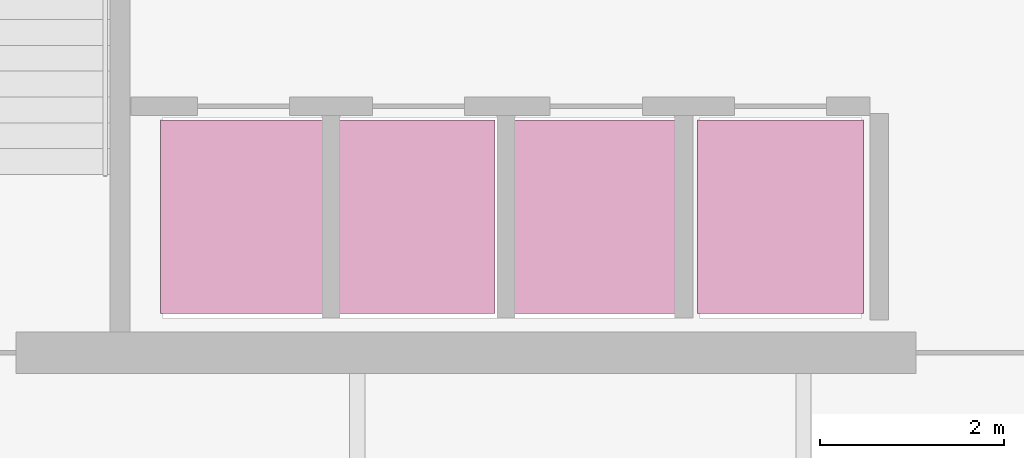
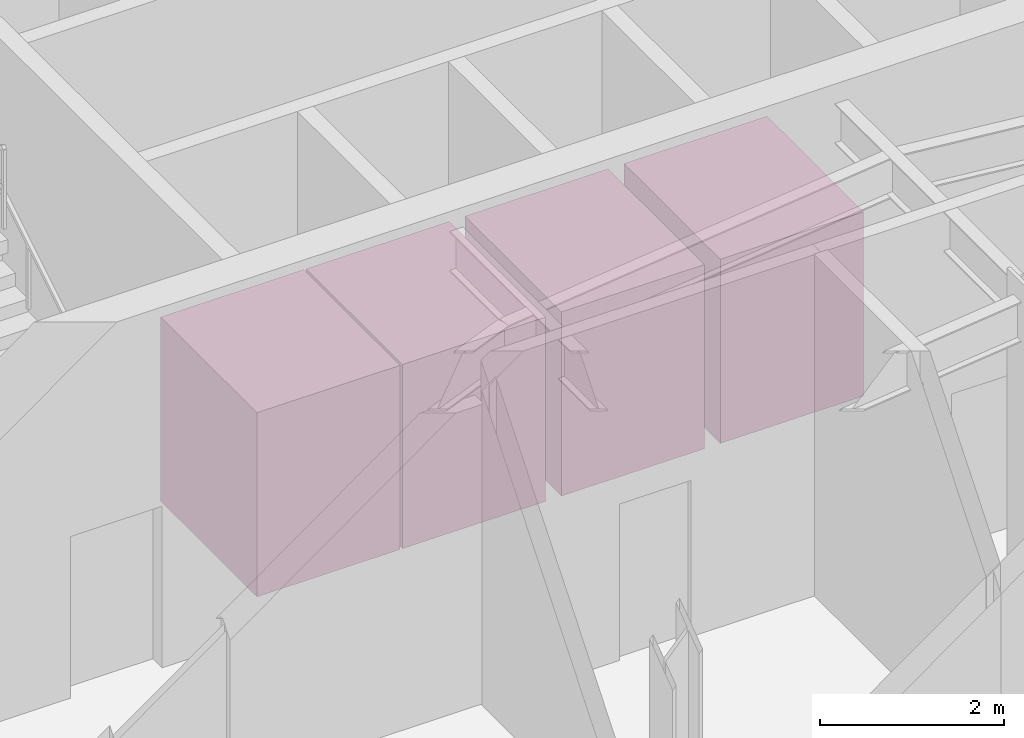
# One storey, part 15 of 15: 4 transport elements.
"""IFC4 building model written with IfcOpenShell, lengths in metres."""

from ifc_helpers import new_model, si_unit, direction, frame, origin, origin_2d, place, context, subcontext, project, spatial, rectangle, extrude, source, transform, mapped, material, type_object, type_shapes, element, save


model = new_model("IFC4")

# Units and contexts
model_context = context("Model", 3, precision=1e-05, world=origin(), true_north=direction((0.0, 1.0)))
body_context = subcontext(model_context, "Body", "Model", "MODEL_VIEW")
ifc_project = project(units=[si_unit("LENGTHUNIT", "METRE"), si_unit("AREAUNIT", "SQUARE_METRE"), si_unit("VOLUMEUNIT", "CUBIC_METRE"), si_unit("PLANEANGLEUNIT", "RADIAN"), si_unit("MASSUNIT", "GRAM", prefix="KILO")], contexts=[model_context])

# Site, building, storey
site_placement = place(None, origin())
site = spatial("IfcSite", under=ifc_project, at=site_placement, CompositionType="ELEMENT")
building_placement = place(site_placement, origin())
building = spatial("IfcBuilding", under=site, at=building_placement, Name="Breltana Convention Tower", CompositionType="ELEMENT")
storey_placement = place(building_placement, frame((0.0, 0.0, 199.199951171875)))
storey = spatial("IfcBuildingStorey", under=building, at=storey_placement, Name="L48", CompositionType="ELEMENT", Elevation=199.199951171875)

# Transport elements
ifc_material = material(Name="Stainless Steel Cab Assembly", Category="steel")
transport_element_type = type_object("IfcTransportElementType", Name="LFT-PAX-1600", PredefinedType="ELEVATOR", material=ifc_material)
shared_shape = source(origin(), body_context, "Body", "SweptSolid", [
    extrude(rectangle(XDim=1.800048828125, YDim=2.10009765625, at=origin_2d()), origin(), (0.0, 0.0, 1.0), 2.449951171875),
])
type_shapes(transport_element_type, [shared_shape])
for number, where, z_axis, x_axis, name in (
    (1, (41.919921875, 61.89990234375, 0.0), (0.0, 0.0, 1.0), (1.0, 0.0, 0.0), "High Lift PL-H1"),
    (2, (43.75, 61.89990234375, 0.0), (0.0, 0.0, 1.0), (1.0, 0.0, 0.0), "High Lift PL-H2"),
    (3, (45.75, 61.89990234375, 0.0), (0.0, 0.0, 1.0), (1.0, 0.0, 0.0), "High Lift PL-H3"),
    (4, (47.75, 61.89990234375, 0.0), (0.0, 0.0, 1.0), (1.0, 0.0, 0.0), "High Lift PL-H4"),
):
    element("IfcTransportElement", number, at=place(storey_placement, frame(where, z_axis=z_axis, x_axis=x_axis)), inside=storey, type_object=transport_element_type, Name=name, PredefinedType="ELEVATOR", context=body_context, shape_type="MappedRepresentation", body=[
        mapped(shared_shape, transform((0.0, 0.0, 0.0), scale=1.0)),
    ])

save(model, "model.ifc")
